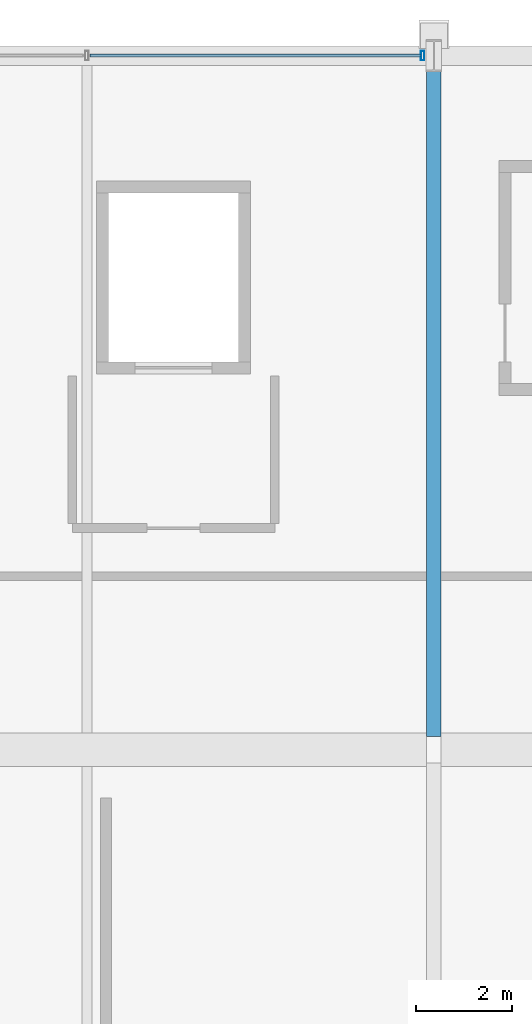
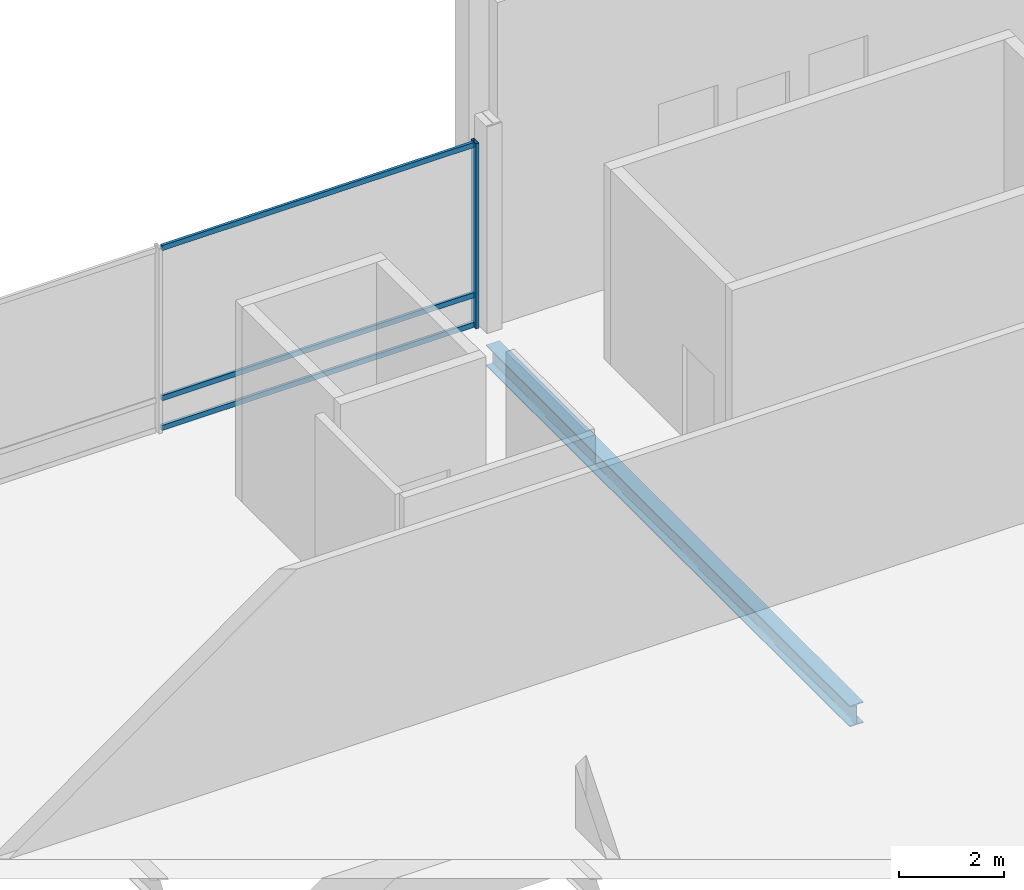
# One storey, part 109 of 193: 4 members, 1 beam, 1 element without a shape of its own.
"""IFC4 building model written with IfcOpenShell, lengths in metres."""

from ifc_helpers import new_model, si_unit, direction, frame, origin, origin_2d, place, context, subcontext, project, spatial, hollow_rectangle, i_section, extrude, material, material_profile, profile_set, type_object, element, aggregate, save


model = new_model("IFC4")

# Units and contexts
model_context = context("Model", 3, precision=1e-05, world=origin(), true_north=direction((0.0, 1.0)))
body_context = subcontext(model_context, "Body", "Model", "MODEL_VIEW")
ifc_project = project(units=[si_unit("LENGTHUNIT", "METRE"), si_unit("AREAUNIT", "SQUARE_METRE"), si_unit("VOLUMEUNIT", "CUBIC_METRE"), si_unit("PLANEANGLEUNIT", "RADIAN"), si_unit("MASSUNIT", "GRAM", prefix="KILO")], contexts=[model_context])

# Site, building, storey
site_placement = place(None, origin())
site = spatial("IfcSite", under=ifc_project, at=site_placement, CompositionType="ELEMENT")
building_placement = place(site_placement, origin())
building = spatial("IfcBuilding", under=site, at=building_placement, Name="Cendralis Lancet Convention Centre", CompositionType="ELEMENT")
storey_placement = place(building_placement, frame((0.0, 0.0, 10.199951171875)))
storey = spatial("IfcBuildingStorey", under=building, at=storey_placement, Name="L02", CompositionType="ELEMENT", Elevation=10.199951171875)

# Curtain wall, members
ifc_material_1 = material(Name="Anodised bronze architectural aluminium", Category="aluminium")
curtain_wall_type = type_object("IfcCurtainWallType", Name="ARC-CW-BL02", PredefinedType="USERDEFINED", material=ifc_material_1)
curtain_wall_placement = place(storey_placement, origin())
curtain_wall = element("IfcCurtainWall", 1, at=curtain_wall_placement, inside=storey, type_object=curtain_wall_type, Name="L02 Curtain Wall CW-BL2 #156", ObjectType="CURTAIN WALL", PredefinedType="USERDEFINED")
ifc_material_profile_1 = material_profile(ifc_material_1, hollow_rectangle(XDim=0.070068359375, YDim=0.199951171875, WallThickness=0.0048828125, at=origin_2d()), Name="AL-MULL 70x200x5.0")
ifc_profile_set_1 = profile_set([ifc_material_profile_1], Name="Anodised bronze architectural aluminium")
member_type_1 = type_object("IfcMemberType", Name="ARC-CW-ML02", PredefinedType="MULLION", material=ifc_profile_set_1)
member_1_placement = place(storey_placement, frame((196.56494140625, 136.800048828125, 0.0), z_axis=(0.0, 0.0, 1.0), x_axis=(1.0, 0.0, 0.0)))
member_1 = element("IfcMember", 2, at=member_1_placement, type_object=member_type_1, Name="Mullion CW2-CW-BL2-L02-156-M2", PredefinedType="MULLION", context=body_context, shape_type="SweptSolid", body=[
    extrude(hollow_rectangle(XDim=0.070068359375, YDim=0.199951171875, WallThickness=0.0048828125, at=origin_2d()), origin(), (0.0, 0.0, 1.0), 4.300048828125),
])
ifc_material_profile_2 = material_profile(ifc_material_1, hollow_rectangle(XDim=0.06005859375, YDim=0.1201171875, WallThickness=0.00390625, at=origin_2d()), Name="AL-TRAN 60x120x4.0")
ifc_profile_set_2 = profile_set([ifc_material_profile_2], Name="Anodised bronze architectural aluminium")
member_type_2 = type_object("IfcMemberType", Name="ARC-CW-TR01", PredefinedType="USERDEFINED", material=ifc_profile_set_2)
member_2_placement = place(storey_placement, frame((189.669921875, 136.800048828125, 0.06005859375), z_axis=(1.0, 0.0, 0.0), x_axis=(0.0, 1.0, 0.0)))
member_2 = element("IfcMember", 3, at=member_2_placement, type_object=member_type_2, Name="Transom CW2-CW-BL2-L02-156-T1BOT", ObjectType="TRANSOM", PredefinedType="USERDEFINED", context=body_context, shape_type="SweptSolid", body=[
    extrude(hollow_rectangle(XDim=0.06005859375, YDim=0.1201171875, WallThickness=0.00390625, at=origin_2d()), origin(), (0.0, 0.0, 1.0), 6.860107421875),
])
member_3_placement = place(storey_placement, frame((189.669921875, 136.800048828125, 0.75), z_axis=(1.0, 0.0, 0.0), x_axis=(0.0, 1.0, 0.0)))
member_3 = element("IfcMember", 4, at=member_3_placement, type_object=member_type_2, Name="Transom CW2-CW-BL2-L02-156-T1MID", ObjectType="TRANSOM", PredefinedType="USERDEFINED", context=body_context, shape_type="SweptSolid", body=[
    extrude(hollow_rectangle(XDim=0.06005859375, YDim=0.1201171875, WallThickness=0.00390625, at=origin_2d()), origin(), (0.0, 0.0, 1.0), 6.860107421875),
])
member_4_placement = place(storey_placement, frame((189.669921875, 136.800048828125, 4.239990234375), z_axis=(1.0, 0.0, 0.0), x_axis=(0.0, 1.0, 0.0)))
member_4 = element("IfcMember", 5, at=member_4_placement, type_object=member_type_2, Name="Transom CW2-CW-BL2-L02-156-T1TOP", ObjectType="TRANSOM", PredefinedType="USERDEFINED", context=body_context, shape_type="SweptSolid", body=[
    extrude(hollow_rectangle(XDim=0.06005859375, YDim=0.1201171875, WallThickness=0.00390625, at=origin_2d()), origin(), (0.0, 0.0, 1.0), 6.860107421875),
])
aggregate(curtain_wall, [member_1, member_2, member_3, member_4])

# Beam
ifc_material_2 = material(Name="Steel S355", Category="steel")
ifc_material_profile_3 = material_profile(ifc_material_2, i_section(OverallWidth=0.300048828125, OverallDepth=0.489990234375, WebThickness=0.011962890625, FlangeThickness=0.02294921875, FilletRadius=0.027099609375, at=origin_2d()), Name="HEA 500")
ifc_profile_set_3 = profile_set([ifc_material_profile_3], Name="Steel S355")
beam_type = type_object("IfcBeamType", Name="STR-BM-SG12", PredefinedType="BEAM", material=ifc_profile_set_3)
beam_placement = place(storey_placement, frame((196.800048828125, 122.675048828125, -0.544921875), z_axis=(0.0, 1.0, 0.0), x_axis=(-1.0, 0.0, 0.0)))
element("IfcBeam", 6, at=beam_placement, inside=storey, type_object=beam_type, Name="L02 Beam SG12 #1738", PredefinedType="BEAM", context=body_context, shape_type="SweptSolid", body=[
    extrude(i_section(OverallWidth=0.300048828125, OverallDepth=0.489990234375, WebThickness=0.011962890625, FlangeThickness=0.02294921875, FilletRadius=0.027099609375, at=origin_2d()), origin(), (0.0, 0.0, 1.0), 13.849853515625),
])

save(model, "model.ifc")
